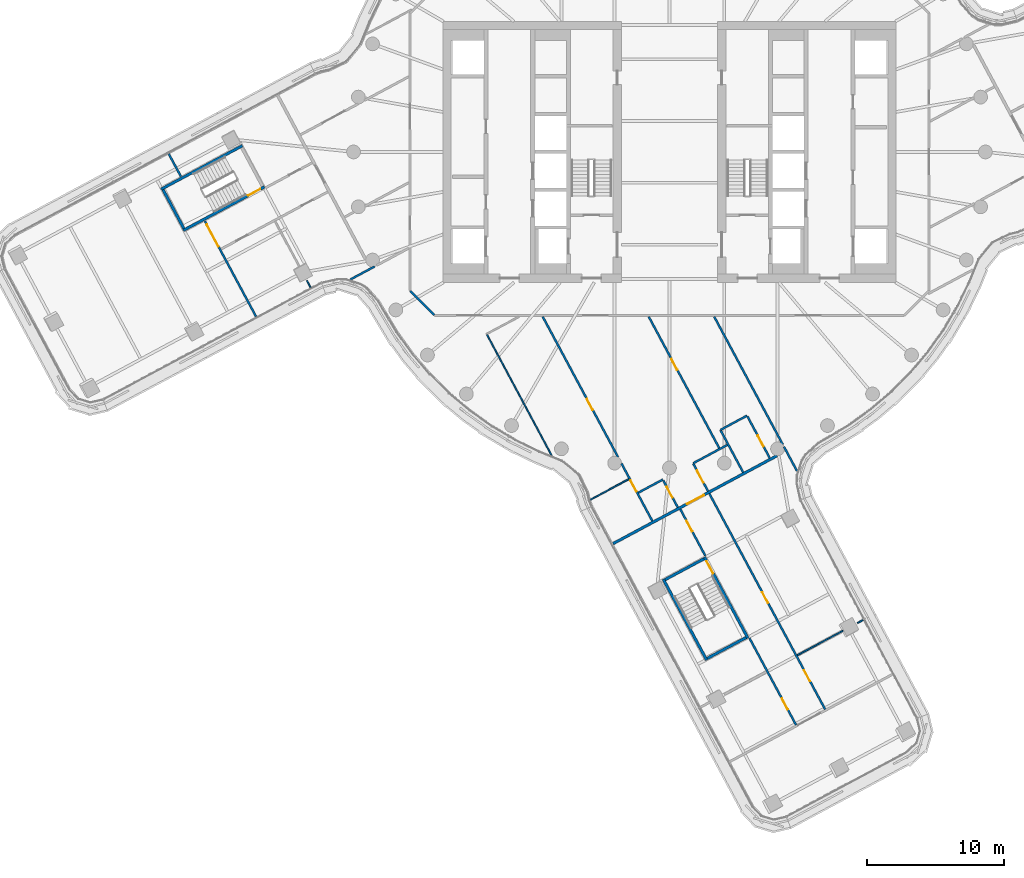
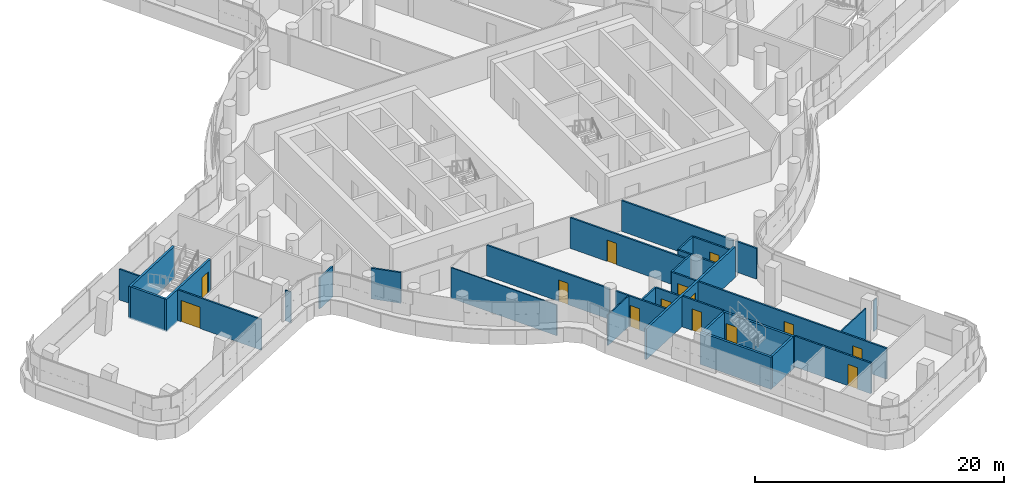
# One storey, part 19 of 33: 31 walls, 14 doors, 14 openings.
"""IFC4 building model written with IfcOpenShell, lengths in metres."""

from ifc_helpers import new_model, si_unit, direction, frame, frame_2d, origin, place, context, subcontext, project, spatial, polyline, rectangle, outline, extrude, material, layer, layer_set, type_object, element, fill, save


model = new_model("IFC4")

# Units and contexts
model_context = context("Model", 3, precision=1e-05, world=origin(), true_north=direction((0.0, 1.0)))
body_context = subcontext(model_context, "Body", "Model", "MODEL_VIEW")
ifc_project = project(units=[si_unit("LENGTHUNIT", "METRE"), si_unit("AREAUNIT", "SQUARE_METRE"), si_unit("VOLUMEUNIT", "CUBIC_METRE"), si_unit("PLANEANGLEUNIT", "RADIAN"), si_unit("MASSUNIT", "GRAM", prefix="KILO")], contexts=[model_context])

# Site, building, storey
site_placement = place(None, origin())
site = spatial("IfcSite", under=ifc_project, at=site_placement, CompositionType="ELEMENT")
building_placement = place(site_placement, origin())
building = spatial("IfcBuilding", under=site, at=building_placement, Name="Tamarind Cross Interchange Tower", CompositionType="ELEMENT")
storey_placement = place(building_placement, frame((0.0, 0.0, 136.75)))
storey = spatial("IfcBuildingStorey", under=building, at=storey_placement, Name="L33", CompositionType="ELEMENT", Elevation=136.75)

# Walls
ifc_material_1 = material(Name="Gypsum board partition on steel studs", Category="steel")
ifc_layer_1 = layer(ifc_material_1, 0.10009765625)
ifc_layer_set_1 = layer_set([ifc_layer_1], Name="Gypsum board partition on steel studs")
wall_type_1 = type_object("IfcWallType", Name="Partition 100 mm EI 90", PredefinedType="PARTITIONING", material=ifc_layer_set_1)
wall_1_placement = place(storey_placement, frame((-26.398193359375, -9.359130859375, 0.0), z_axis=(0.0, 0.0, 1.0), x_axis=(0.472809512755, -0.881164663754, 0.0)))
element("IfcWall", 1, at=wall_1_placement, inside=storey, type_object=wall_type_1, Name="Partition L33-004", PredefinedType="PARTITIONING", context=body_context, shape_type="SweptSolid", body=[
    extrude(rectangle(XDim=0.564453125, YDim=0.10009765625, at=frame_2d((0.2822265625, 0.0))), origin(), (0.0, 0.0, 1.0), 3.010009765625),
])
wall_2_placement = place(storey_placement, frame((-13.29150390625, -13.299072265625, 0.0), z_axis=(0.0, 0.0, 1.0), x_axis=(0.472694845197, -0.881226181706, 0.0)))
element("IfcWall", 2, at=wall_2_placement, inside=storey, type_object=wall_type_1, Name="Partition L33-006", PredefinedType="PARTITIONING", context=body_context, shape_type="SweptSolid", body=[
    extrude(rectangle(XDim=9.972900390625, YDim=0.10009765625, at=frame_2d((4.986328125, 0.0))), origin(), (0.0, 0.0, 1.0), 3.010009765625),
])
wall_3_placement = place(storey_placement, frame((-5.753173828125, -25.313720703125, 0.0), z_axis=(0.0, 0.0, 1.0), x_axis=(0.881075493671, 0.472975659471, 0.0)))
element("IfcWall", 3, at=wall_3_placement, inside=storey, type_object=wall_type_1, Name="Partition L33-055", PredefinedType="PARTITIONING", context=body_context, shape_type="SweptSolid", body=[
    extrude(rectangle(XDim=3.1611328125, YDim=0.10009765625, at=frame_2d((1.58056640625, 0.0))), origin(), (0.0, 0.0, 1.0), 3.010009765625),
])
wall_4_placement = place(storey_placement, frame((9.305419921875, -36.639892578125, 0.0), z_axis=(0.0, 0.0, 1.0), x_axis=(0.881208865176, 0.472727126295, 0.0)))
element("IfcWall", 4, at=wall_4_placement, inside=storey, type_object=wall_type_1, Name="Partition L33-062", PredefinedType="PARTITIONING", context=body_context, shape_type="SweptSolid", body=[
    extrude(rectangle(XDim=3.77734375, YDim=0.10009765625, at=frame_2d((1.888671875, 0.0))), origin(), (0.0, 0.0, 1.0), 3.010009765625),
])
wall_5_placement = place(storey_placement, frame((13.685546875, -34.2900390625, 0.0), z_axis=(0.0, 0.0, 1.0), x_axis=(0.881347115326, 0.472469324197, 0.0)))
element("IfcWall", 5, at=wall_5_placement, inside=storey, type_object=wall_type_1, Name="Partition L33-063", PredefinedType="PARTITIONING", context=body_context, shape_type="SweptSolid", body=[
    extrude(rectangle(XDim=0.464599609375, YDim=0.10009765625, at=frame_2d((0.232421875, 0.0))), origin(), (0.0, 0.0, 1.0), 3.010009765625),
])
ifc_layer_2 = layer(ifc_material_1, 0.14990234375)
ifc_layer_set_2 = layer_set([ifc_layer_2], Name="Gypsum board partition on steel studs")
wall_type_2 = type_object("IfcWallType", Name="Partition 150 mm EI 120", PredefinedType="PARTITIONING", material=ifc_layer_set_2)
wall_6_placement = place(storey_placement, frame((-36.4462890625, -0.147216796875, 0.0), z_axis=(0.0, 0.0, 1.0), x_axis=(0.472767964553, -0.881186956152, 0.0)))
element("IfcWall", 6, at=wall_6_placement, inside=storey, type_object=wall_type_2, Name="Partition L33-001", PredefinedType="PARTITIONING", context=body_context, shape_type="SweptSolid", body=[
    extrude(rectangle(XDim=1.859130859375, YDim=0.14990234375, at=frame_2d((0.9296875, 0.0))), origin(), (0.0, 0.0, 1.0), 3.010009765625),
])

# Wall, opening, door
wall_7_placement = place(storey_placement, frame((-33.827880859375, -5.028076171875, 0.0), z_axis=(0.0, 0.0, 1.0), x_axis=(0.472730911177, -0.881206834754, 0.0)))
wall_7 = element("IfcWall", 7, at=wall_7_placement, inside=storey, type_object=wall_type_2, Name="Partition L33-002", PredefinedType="PARTITIONING", context=body_context, shape_type="SweptSolid", body=[
    extrude(rectangle(XDim=7.884033203125, YDim=0.14990234375, at=frame_2d((3.94189453125, 0.0))), origin(), (0.0, 0.0, 1.0), 3.010009765625),
])
opening_1_placement = place(wall_7_placement, frame((0.300048828125, 0.0, 0.0)))
opening_1 = element("IfcOpeningElement", 8, at=opening_1_placement, cuts=wall_7, Name="Opening D01", PredefinedType="OPENING", context=body_context, shape_type="SweptSolid", body=[
    extrude(rectangle(XDim=1.800048828125, YDim=2.10009765625, at=frame_2d((0.89990234375, 1.050048828125))), frame((0.0, 0.0849609375, 0.0), z_axis=(0.0, -1.0, 0.0), x_axis=(1.0, 0.0, 0.0)), (0.0, 0.0, 1.0), 0.169921875),
])
ifc_material_2 = material(Name="Fire-resisting door set")
door_type_1 = type_object("IfcDoorType", Name="Interior door 1800 x 2100 FD60S", OperationType="DOUBLE_DOOR_SINGLE_SWING", PredefinedType="DOOR", material=ifc_material_2)
door_1_placement = place(opening_1_placement, frame((1.800048828125, 0.0, 0.0), z_axis=(0.0, 0.0, 1.0), x_axis=(-1.0, 0.0, 0.0)))
door_1 = element("IfcDoor", 9, at=door_1_placement, inside=storey, type_object=door_type_1, Name="Door D01", OperationType="DOUBLE_DOOR_SINGLE_SWING", OverallHeight=2.10009765625, OverallWidth=1.800048828125, PredefinedType="DOOR", context=body_context, shape_type="SweptSolid", body=[
    extrude(rectangle(XDim=1.800048828125, YDim=2.10009765625, at=frame_2d((0.89990234375, 1.050048828125))), frame((0.0, 0.02490234375, 0.0), z_axis=(0.0, -1.0, 0.0), x_axis=(1.0, 0.0, 0.0)), (0.0, 0.0, 1.0), 0.050048828125),
])
fill(opening_1, door_1)

wall_8_placement = place(storey_placement, frame((-9.226318359375, -11.992431640625, 0.0), z_axis=(0.0, 0.0, 1.0), x_axis=(0.472684868369, -0.881231533262, 0.0)))
wall_8 = element("IfcWall", 10, at=wall_8_placement, inside=storey, type_object=wall_type_2, Name="Partition L33-008", PredefinedType="PARTITIONING", context=body_context, shape_type="SweptSolid", body=[
    extrude(rectangle(XDim=11.5908203125, YDim=0.14990234375, at=frame_2d((5.79541015625, 0.0))), origin(), (0.0, 0.0, 1.0), 3.010009765625),
])
opening_2_placement = place(wall_8_placement, frame((6.794921875, 0.0, 0.0)))
opening_2 = element("IfcOpeningElement", 11, at=opening_2_placement, cuts=wall_8, Name="Opening D07", PredefinedType="OPENING", context=body_context, shape_type="SweptSolid", body=[
    extrude(rectangle(XDim=0.89990234375, YDim=2.10009765625, at=frame_2d((0.449951171875, 1.050048828125))), frame((0.0, 0.0849609375, 0.0), z_axis=(0.0, -1.0, 0.0), x_axis=(1.0, 0.0, 0.0)), (0.0, 0.0, 1.0), 0.169921875),
])
door_type_2 = type_object("IfcDoorType", Name="Interior door 900 x 2100 FD60S", OperationType="SINGLE_SWING_LEFT", PredefinedType="DOOR", material=ifc_material_2)
door_2_placement = place(opening_2_placement, frame((0.89990234375, 0.0, 0.0), z_axis=(0.0, 0.0, 1.0), x_axis=(-1.0, 0.0, 0.0)))
door_2 = element("IfcDoor", 12, at=door_2_placement, inside=storey, type_object=door_type_2, Name="Door D07", OperationType="SINGLE_SWING_RIGHT", OverallHeight=2.10009765625, OverallWidth=0.89990234375, PredefinedType="DOOR", context=body_context, shape_type="SweptSolid", body=[
    extrude(rectangle(XDim=0.89990234375, YDim=2.10009765625, at=frame_2d((0.449951171875, 1.050048828125))), frame((0.0, 0.02490234375, 0.0), z_axis=(0.0, -1.0, 0.0), x_axis=(1.0, 0.0, 0.0)), (0.0, 0.0, 1.0), 0.050048828125),
])
fill(opening_2, door_2)

wall_9_placement = place(storey_placement, frame((-3.492431640625, -22.682373046875, 0.0), z_axis=(0.0, 0.0, 1.0), x_axis=(0.472689207633, -0.881229205705, 0.0)))
wall_9 = element("IfcWall", 13, at=wall_9_placement, inside=storey, type_object=wall_type_2, Name="Partition L33-009", PredefinedType="PARTITIONING", context=body_context, shape_type="SweptSolid", body=[
    extrude(rectangle(XDim=4.749755859375, YDim=0.14990234375, at=frame_2d((2.375, 0.0))), origin(), (0.0, 0.0, 1.0), 3.010009765625),
])
opening_3_placement = place(wall_9_placement, frame((1.39892578125, 0.0, 0.0)))
opening_3 = element("IfcOpeningElement", 14, at=opening_3_placement, cuts=wall_9, Name="Opening D08", PredefinedType="OPENING", context=body_context, shape_type="SweptSolid", body=[
    extrude(rectangle(XDim=0.89990234375, YDim=2.10009765625, at=frame_2d((0.449951171875, 1.050048828125))), frame((0.0, 0.0849609375, 0.0), z_axis=(0.0, -1.0, 0.0), x_axis=(1.0, 0.0, 0.0)), (0.0, 0.0, 1.0), 0.169921875),
])
door_3_placement = place(opening_3_placement, frame((0.89990234375, 0.0, 0.0), z_axis=(0.0, 0.0, 1.0), x_axis=(-1.0, 0.0, 0.0)))
door_3 = element("IfcDoor", 15, at=door_3_placement, inside=storey, type_object=door_type_2, Name="Door D08", OperationType="SINGLE_SWING_LEFT", OverallHeight=2.10009765625, OverallWidth=0.89990234375, PredefinedType="DOOR", context=body_context, shape_type="SweptSolid", body=[
    extrude(rectangle(XDim=0.89990234375, YDim=2.10009765625, at=frame_2d((0.449951171875, 1.050048828125))), frame((0.0, 0.02490234375, 0.0), z_axis=(0.0, -1.0, 0.0), x_axis=(1.0, 0.0, 0.0)), (0.0, 0.0, 1.0), 0.050048828125),
])
fill(opening_3, door_3)

wall_10_placement = place(storey_placement, frame((-1.509521484375, -11.992431640625, 0.0), z_axis=(0.0, 0.0, 1.0), x_axis=(0.472657089114, -0.881246433247, 0.0)))
wall_10 = element("IfcWall", 16, at=wall_10_placement, inside=storey, type_object=wall_type_2, Name="Partition L33-016", PredefinedType="PARTITIONING", context=body_context, shape_type="SweptSolid", body=[
    extrude(rectangle(XDim=10.852783203125, YDim=0.14990234375, at=frame_2d((5.42626953125, 0.0))), origin(), (0.0, 0.0, 1.0), 3.010009765625),
])
opening_4_placement = place(wall_10_placement, frame((3.4951171875, 0.0, 0.0)))
opening_4 = element("IfcOpeningElement", 17, at=opening_4_placement, cuts=wall_10, Name="Opening D12", PredefinedType="OPENING", context=body_context, shape_type="SweptSolid", body=[
    extrude(rectangle(XDim=0.89990234375, YDim=2.10009765625, at=frame_2d((0.449951171875, 1.050048828125))), frame((0.0, 0.0849609375, 0.0), z_axis=(0.0, -1.0, 0.0), x_axis=(1.0, 0.0, 0.0)), (0.0, 0.0, 1.0), 0.169921875),
])
door_4_placement = place(opening_4_placement, origin())
door_4 = element("IfcDoor", 18, at=door_4_placement, inside=storey, type_object=door_type_2, Name="Door D12", OperationType="SINGLE_SWING_RIGHT", OverallHeight=2.10009765625, OverallWidth=0.89990234375, PredefinedType="DOOR", context=body_context, shape_type="SweptSolid", body=[
    extrude(rectangle(XDim=0.89990234375, YDim=2.10009765625, at=frame_2d((0.449951171875, 1.050048828125))), frame((0.0, 0.02490234375, 0.0), z_axis=(0.0, -1.0, 0.0), x_axis=(1.0, 0.0, 0.0)), (0.0, 0.0, 1.0), 0.050048828125),
])
fill(opening_4, door_4)

wall_11_placement = place(storey_placement, frame((-0.448486328125, -23.9140625, 0.0), z_axis=(0.0, 0.0, 1.0), x_axis=(0.472830170136, -0.881153579241, 0.0)))
wall_11 = element("IfcWall", 19, at=wall_11_placement, inside=storey, type_object=wall_type_2, Name="Partition L33-017", PredefinedType="PARTITIONING", context=body_context, shape_type="SweptSolid", body=[
    extrude(rectangle(XDim=2.225341796875, YDim=0.14990234375, at=frame_2d((1.11279296875, 0.0))), origin(), (0.0, 0.0, 1.0), 3.010009765625),
])
opening_5_placement = place(wall_11_placement, frame((0.52490234375, 0.0, 0.0)))
opening_5 = element("IfcOpeningElement", 20, at=opening_5_placement, cuts=wall_11, Name="Opening D13", PredefinedType="OPENING", context=body_context, shape_type="SweptSolid", body=[
    extrude(rectangle(XDim=0.89990234375, YDim=2.10009765625, at=frame_2d((0.449951171875, 1.050048828125))), frame((0.0, 0.0849609375, 0.0), z_axis=(0.0, -1.0, 0.0), x_axis=(1.0, 0.0, 0.0)), (0.0, 0.0, 1.0), 0.169921875),
])
door_5_placement = place(opening_5_placement, frame((0.89990234375, 0.0, 0.0), z_axis=(0.0, 0.0, 1.0), x_axis=(-1.0, 0.0, 0.0)))
door_5 = element("IfcDoor", 21, at=door_5_placement, inside=storey, type_object=door_type_2, Name="Door D13", OperationType="SINGLE_SWING_LEFT", OverallHeight=2.10009765625, OverallWidth=0.89990234375, PredefinedType="DOOR", context=body_context, shape_type="SweptSolid", body=[
    extrude(rectangle(XDim=0.89990234375, YDim=2.10009765625, at=frame_2d((0.449951171875, 1.050048828125))), frame((0.0, 0.02490234375, 0.0), z_axis=(0.0, -1.0, 0.0), x_axis=(1.0, 0.0, 0.0)), (0.0, 0.0, 1.0), 0.050048828125),
])
fill(opening_5, door_5)

wall_12_placement = place(storey_placement, frame((0.786376953125, -26.004150390625, 0.0), z_axis=(0.0, 0.0, 1.0), x_axis=(0.472779380867, -0.88118083106, 0.0)))
wall_12 = element("IfcWall", 22, at=wall_12_placement, inside=storey, type_object=wall_type_2, Name="Partition L33-018", PredefinedType="PARTITIONING", context=body_context, shape_type="SweptSolid", body=[
    extrude(rectangle(XDim=3.860595703125, YDim=0.14990234375, at=frame_2d((1.93017578125, 0.0))), origin(), (0.0, 0.0, 1.0), 3.010009765625),
])
opening_6_placement = place(wall_12_placement, frame((0.949951171875, 0.0, 0.0)))
opening_6 = element("IfcOpeningElement", 23, at=opening_6_placement, cuts=wall_12, Name="Opening D14", PredefinedType="OPENING", context=body_context, shape_type="SweptSolid", body=[
    extrude(rectangle(XDim=0.89990234375, YDim=2.10009765625, at=frame_2d((0.449951171875, 1.050048828125))), frame((0.0, 0.0849609375, 0.0), z_axis=(0.0, -1.0, 0.0), x_axis=(1.0, 0.0, 0.0)), (0.0, 0.0, 1.0), 0.169921875),
])
door_6_placement = place(opening_6_placement, frame((0.89990234375, 0.0, 0.0), z_axis=(0.0, 0.0, 1.0), x_axis=(-1.0, 0.0, 0.0)))
door_6 = element("IfcDoor", 24, at=door_6_placement, inside=storey, type_object=door_type_2, Name="Door D14", OperationType="SINGLE_SWING_LEFT", OverallHeight=2.10009765625, OverallWidth=0.89990234375, PredefinedType="DOOR", context=body_context, shape_type="SweptSolid", body=[
    extrude(rectangle(XDim=0.89990234375, YDim=2.10009765625, at=frame_2d((0.449951171875, 1.050048828125))), frame((0.0, 0.02490234375, 0.0), z_axis=(0.0, -1.0, 0.0), x_axis=(1.0, 0.0, 0.0)), (0.0, 0.0, 1.0), 0.050048828125),
])
fill(opening_6, door_6)

wall_13_placement = place(storey_placement, frame((5.81640625, -35.379638671875, 0.0), z_axis=(0.0, 0.0, 1.0), x_axis=(0.472784243367, -0.881178222168, 0.0)))
wall_13 = element("IfcWall", 25, at=wall_13_placement, inside=storey, type_object=wall_type_2, Name="Partition L33-019", PredefinedType="PARTITIONING", context=body_context, shape_type="SweptSolid", body=[
    extrude(rectangle(XDim=7.18505859375, YDim=0.14990234375, at=frame_2d((3.592529296875, 0.0))), origin(), (0.0, 0.0, 1.0), 3.010009765625),
])
opening_7_placement = place(wall_13_placement, frame((5.009765625, 0.0, 0.0)))
opening_7 = element("IfcOpeningElement", 26, at=opening_7_placement, cuts=wall_13, Name="Opening D15", PredefinedType="OPENING", context=body_context, shape_type="SweptSolid", body=[
    extrude(rectangle(XDim=0.89990234375, YDim=2.10009765625, at=frame_2d((0.449951171875, 1.050048828125))), frame((0.0, 0.0849609375, 0.0), z_axis=(0.0, -1.0, 0.0), x_axis=(1.0, 0.0, 0.0)), (0.0, 0.0, 1.0), 0.169921875),
])
door_7_placement = place(opening_7_placement, frame((0.89990234375, 0.0, 0.0), z_axis=(0.0, 0.0, 1.0), x_axis=(-1.0, 0.0, 0.0)))
door_7 = element("IfcDoor", 27, at=door_7_placement, inside=storey, type_object=door_type_2, Name="Door D15", OperationType="SINGLE_SWING_RIGHT", OverallHeight=2.10009765625, OverallWidth=0.89990234375, PredefinedType="DOOR", context=body_context, shape_type="SweptSolid", body=[
    extrude(rectangle(XDim=0.89990234375, YDim=2.10009765625, at=frame_2d((0.449951171875, 1.050048828125))), frame((0.0, 0.02490234375, 0.0), z_axis=(0.0, -1.0, 0.0), x_axis=(1.0, 0.0, 0.0)), (0.0, 0.0, 1.0), 0.050048828125),
])
fill(opening_7, door_7)

# Wall, openings, doors
wall_14_placement = place(storey_placement, frame((1.728515625, -22.68359375, 0.0), z_axis=(0.0, 0.0, 1.0), x_axis=(0.47285390864, -0.881140840663, 0.0)))
wall_14 = element("IfcWall", 28, at=wall_14_placement, inside=storey, type_object=wall_type_2, Name="Partition L33-022", PredefinedType="PARTITIONING", context=body_context, shape_type="SweptSolid", body=[
    extrude(rectangle(XDim=20.304931640625, YDim=0.14990234375, at=frame_2d((10.15234375, 0.0))), origin(), (0.0, 0.0, 1.0), 3.010009765625),
])
opening_8_placement = place(wall_14_placement, frame((0.580078125, 0.0, 0.0)))
opening_8 = element("IfcOpeningElement", 29, at=opening_8_placement, cuts=wall_14, Name="Opening D17", PredefinedType="OPENING", context=body_context, shape_type="SweptSolid", body=[
    extrude(rectangle(XDim=1.0, YDim=2.10009765625, at=frame_2d((0.5, 1.050048828125))), frame((0.0, 0.0849609375, 0.0), z_axis=(0.0, -1.0, 0.0), x_axis=(1.0, 0.0, 0.0)), (0.0, 0.0, 1.0), 0.169921875),
])
opening_9_placement = place(wall_14_placement, frame((10.63037109375, 0.0, 0.0)))
opening_9 = element("IfcOpeningElement", 30, at=opening_9_placement, cuts=wall_14, Name="Opening D18", PredefinedType="OPENING", context=body_context, shape_type="SweptSolid", body=[
    extrude(rectangle(XDim=0.89990234375, YDim=2.10009765625, at=frame_2d((0.449951171875, 1.050048828125))), frame((0.0, 0.0849609375, 0.0), z_axis=(0.0, -1.0, 0.0), x_axis=(1.0, 0.0, 0.0)), (0.0, 0.0, 1.0), 0.169921875),
])
opening_10_placement = place(wall_14_placement, frame((17.08056640625, 0.0, 0.0)))
opening_10 = element("IfcOpeningElement", 31, at=opening_10_placement, cuts=wall_14, Name="Opening D19", PredefinedType="OPENING", context=body_context, shape_type="SweptSolid", body=[
    extrude(rectangle(XDim=0.89990234375, YDim=2.10009765625, at=frame_2d((0.449951171875, 1.050048828125))), frame((0.0, 0.0849609375, 0.0), z_axis=(0.0, -1.0, 0.0), x_axis=(1.0, 0.0, 0.0)), (0.0, 0.0, 1.0), 0.169921875),
])
door_type_3 = type_object("IfcDoorType", Name="Interior door 1000 x 2100 FD60S", OperationType="SINGLE_SWING_LEFT", PredefinedType="DOOR", material=ifc_material_2)
door_8_placement = place(opening_8_placement, origin())
door_8 = element("IfcDoor", 32, at=door_8_placement, inside=storey, type_object=door_type_3, Name="Door D17", OperationType="SINGLE_SWING_RIGHT", OverallHeight=2.10009765625, OverallWidth=1.0, PredefinedType="DOOR", context=body_context, shape_type="SweptSolid", body=[
    extrude(rectangle(XDim=1.0, YDim=2.10009765625, at=frame_2d((0.5, 1.050048828125))), frame((0.0, 0.02490234375, 0.0), z_axis=(0.0, -1.0, 0.0), x_axis=(1.0, 0.0, 0.0)), (0.0, 0.0, 1.0), 0.050048828125),
])
fill(opening_8, door_8)
door_9_placement = place(opening_9_placement, origin())
door_9 = element("IfcDoor", 33, at=door_9_placement, inside=storey, type_object=door_type_2, Name="Door D18", OperationType="SINGLE_SWING_LEFT", OverallHeight=2.10009765625, OverallWidth=0.89990234375, PredefinedType="DOOR", context=body_context, shape_type="SweptSolid", body=[
    extrude(rectangle(XDim=0.89990234375, YDim=2.10009765625, at=frame_2d((0.449951171875, 1.050048828125))), frame((0.0, 0.02490234375, 0.0), z_axis=(0.0, -1.0, 0.0), x_axis=(1.0, 0.0, 0.0)), (0.0, 0.0, 1.0), 0.050048828125),
])
fill(opening_9, door_9)
door_10_placement = place(opening_10_placement, origin())
door_10 = element("IfcDoor", 34, at=door_10_placement, inside=storey, type_object=door_type_2, Name="Door D19", OperationType="SINGLE_SWING_LEFT", OverallHeight=2.10009765625, OverallWidth=0.89990234375, PredefinedType="DOOR", context=body_context, shape_type="SweptSolid", body=[
    extrude(rectangle(XDim=0.89990234375, YDim=2.10009765625, at=frame_2d((0.449951171875, 1.050048828125))), frame((0.0, 0.02490234375, 0.0), z_axis=(0.0, -1.0, 0.0), x_axis=(1.0, 0.0, 0.0)), (0.0, 0.0, 1.0), 0.050048828125),
])
fill(opening_10, door_10)

# Walls
wall_15_placement = place(storey_placement, frame((3.256591796875, -11.992431640625, 0.0), z_axis=(0.0, 0.0, 1.0), x_axis=(0.47270123822, -0.881222752421, 0.0)))
element("IfcWall", 35, at=wall_15_placement, inside=storey, type_object=wall_type_2, Name="Partition L33-023", PredefinedType="PARTITIONING", context=body_context, shape_type="SweptSolid", body=[
    extrude(rectangle(XDim=10.56005859375, YDim=0.14990234375, at=frame_2d((5.280029296875, 0.0))), origin(), (0.0, 0.0, 1.0), 3.010009765625),
])
wall_16_placement = place(storey_placement, frame((8.335693359375, -21.4609375, 0.0), z_axis=(0.0, 0.0, 1.0), x_axis=(0.472700307112, -0.881223251881, 0.0)))
element("IfcWall", 36, at=wall_16_placement, inside=storey, type_object=wall_type_2, Name="Partition L33-024", PredefinedType="PARTITIONING", context=body_context, shape_type="SweptSolid", body=[
    extrude(rectangle(XDim=2.008544921875, YDim=0.14990234375, at=frame_2d((1.00439453125, 0.0))), origin(), (0.0, 0.0, 1.0), 3.010009765625),
])
wall_17_placement = place(storey_placement, frame((3.71728515625, -20.255615234375, 0.0), z_axis=(0.0, 0.0, 1.0), x_axis=(0.472400501261, -0.881384006213, 0.0)))
element("IfcWall", 37, at=wall_17_placement, inside=storey, type_object=wall_type_2, Name="Partition L33-025", PredefinedType="PARTITIONING", context=body_context, shape_type="SweptSolid", body=[
    extrude(rectangle(XDim=3.480224609375, YDim=0.14990234375, at=frame_2d((1.740234375, 0.0))), origin(), (0.0, 0.0, 1.0), 3.010009765625),
])

# Wall, opening, door
wall_18_placement = place(storey_placement, frame((5.681396484375, -19.26416015625, 0.0), z_axis=(0.0, 0.0, 1.0), x_axis=(0.472694703545, -0.881226257689, 0.0)))
wall_18 = element("IfcWall", 38, at=wall_18_placement, inside=storey, type_object=wall_type_2, Name="Partition L33-026", PredefinedType="PARTITIONING", context=body_context, shape_type="SweptSolid", body=[
    extrude(rectangle(XDim=3.420654296875, YDim=0.14990234375, at=frame_2d((1.71044921875, 0.0))), origin(), (0.0, 0.0, 1.0), 3.010009765625),
])
opening_11_placement = place(wall_18_placement, frame((1.574951171875, 0.0, 0.0)))
opening_11 = element("IfcOpeningElement", 39, at=opening_11_placement, cuts=wall_18, Name="Opening D20", PredefinedType="OPENING", context=body_context, shape_type="SweptSolid", body=[
    extrude(rectangle(XDim=0.89990234375, YDim=2.10009765625, at=frame_2d((0.449951171875, 1.050048828125))), frame((0.0, 0.0849609375, 0.0), z_axis=(0.0, -1.0, 0.0), x_axis=(1.0, 0.0, 0.0)), (0.0, 0.0, 1.0), 0.169921875),
])
door_11_placement = place(opening_11_placement, frame((0.89990234375, 0.0, 0.0), z_axis=(0.0, 0.0, 1.0), x_axis=(-1.0, 0.0, 0.0)))
door_11 = element("IfcDoor", 40, at=door_11_placement, inside=storey, type_object=door_type_2, Name="Door D20", OperationType="SINGLE_SWING_RIGHT", OverallHeight=2.10009765625, OverallWidth=0.89990234375, PredefinedType="DOOR", context=body_context, shape_type="SweptSolid", body=[
    extrude(rectangle(XDim=0.89990234375, YDim=2.10009765625, at=frame_2d((0.449951171875, 1.050048828125))), frame((0.0, 0.02490234375, 0.0), z_axis=(0.0, -1.0, 0.0), x_axis=(1.0, 0.0, 0.0)), (0.0, 0.0, 1.0), 0.050048828125),
])
fill(opening_11, door_11)

# Walls
wall_19_placement = place(storey_placement, frame((-18.87158203125, -10.12841796875, 0.0), z_axis=(0.0, 0.0, 1.0), x_axis=(0.707106781187, -0.707106781187, 0.0)))
element("IfcWall", 41, at=wall_19_placement, inside=storey, type_object=wall_type_2, Name="Partition L33-031", PredefinedType="PARTITIONING", context=body_context, shape_type="SweptSolid", body=[
    extrude(rectangle(XDim=2.465087890625, YDim=0.14990234375, at=frame_2d((1.232421875, 0.0))), origin(), (0.0, 0.0, 1.0), 3.010009765625),
])
wall_20_placement = place(storey_placement, frame((-23.231689453125, -9.284912109375, 0.0), z_axis=(0.0, 0.0, 1.0), x_axis=(0.881204789324, 0.472734723997, 0.0)))
element("IfcWall", 42, at=wall_20_placement, inside=storey, type_object=wall_type_2, Name="Partition L33-041", PredefinedType="PARTITIONING", context=body_context, shape_type="SweptSolid", body=[
    extrude(rectangle(XDim=2.005859375, YDim=0.14990234375, at=frame_2d((1.0029296875, 0.0))), origin(), (0.0, 0.0, 1.0), 3.010009765625),
])
wall_21_placement = place(storey_placement, frame((3.70654296875, -20.2353515625, 0.0), z_axis=(0.0, 0.0, 1.0), x_axis=(0.881086943658, 0.472954329419, 0.0)))
element("IfcWall", 43, at=wall_21_placement, inside=storey, type_object=wall_type_2, Name="Partition L33-056", PredefinedType="PARTITIONING", context=body_context, shape_type="SweptSolid", body=[
    extrude(rectangle(XDim=2.199462890625, YDim=0.14990234375, at=frame_2d((1.099609375, 0.0))), origin(), (0.0, 0.0, 1.0), 3.010009765625),
])
wall_22_placement = place(storey_placement, frame((-2.267822265625, -24.805419921875, 0.0), z_axis=(0.0, 0.0, 1.0), x_axis=(0.881101445607, 0.472927312121, 0.0)))
element("IfcWall", 44, at=wall_22_placement, inside=storey, type_object=wall_type_2, Name="Partition L33-058", PredefinedType="PARTITIONING", context=body_context, shape_type="SweptSolid", body=[
    extrude(rectangle(XDim=2.024658203125, YDim=0.14990234375, at=frame_2d((1.01220703125, 0.0))), origin(), (0.0, 0.0, 1.0), 3.010009765625),
])
wall_23_placement = place(storey_placement, frame((1.71875, -22.66552734375, 0.0), z_axis=(0.0, 0.0, 1.0), x_axis=(0.881125139321, 0.47288316618, 0.0)))
element("IfcWall", 45, at=wall_23_placement, inside=storey, type_object=wall_type_2, Name="Partition L33-059", PredefinedType="PARTITIONING", context=body_context, shape_type="SweptSolid", body=[
    extrude(rectangle(XDim=2.8251953125, YDim=0.14990234375, at=frame_2d((1.41259765625, 0.0))), origin(), (0.0, 0.0, 1.0), 3.010009765625),
])

# Wall, opening, door
ifc_layer_3 = layer(ifc_material_1, 0.199951171875)
ifc_layer_set_3 = layer_set([ifc_layer_3], Name="Gypsum board partition on steel studs")
wall_type_3 = type_object("IfcWallType", Name="Partition 200 mm EI 180", PredefinedType="PARTITIONING", material=ifc_layer_set_3)
wall_24_placement = place(storey_placement, frame((-4.10693359375, -28.515380859375, 0.0), z_axis=(0.0, 0.0, 1.0), x_axis=(0.881221254129, 0.472704031368, 0.0)))
wall_24 = element("IfcWall", 46, at=wall_24_placement, inside=storey, type_object=wall_type_3, Name="Partition L33-057", PredefinedType="PARTITIONING", context=body_context, shape_type="SweptSolid", body=[
    extrude(rectangle(XDim=13.544677734375, YDim=0.199951171875, at=frame_2d((6.7724609375, 0.0))), origin(), (0.0, 0.0, 1.0), 3.010009765625),
])
opening_12_placement = place(wall_24_placement, frame((6.09912109375, 0.0, 0.0)))
opening_12 = element("IfcOpeningElement", 47, at=opening_12_placement, cuts=wall_24, Name="Opening D36", PredefinedType="OPENING", context=body_context, shape_type="SweptSolid", body=[
    extrude(rectangle(XDim=1.39990234375, YDim=2.10009765625, at=frame_2d((0.699951171875, 1.050048828125))), frame((0.0, 0.10986328125, 0.0), z_axis=(0.0, -1.0, 0.0), x_axis=(1.0, 0.0, 0.0)), (0.0, 0.0, 1.0), 0.219970703125),
])
door_type_4 = type_object("IfcDoorType", Name="Interior door 1400 x 2100 FD120S", OperationType="DOUBLE_DOOR_SINGLE_SWING", PredefinedType="DOOR", material=ifc_material_2)
door_12_placement = place(opening_12_placement, origin())
door_12 = element("IfcDoor", 48, at=door_12_placement, inside=storey, type_object=door_type_4, Name="Door D36", OperationType="DOUBLE_DOOR_SINGLE_SWING", OverallHeight=2.10009765625, OverallWidth=1.39990234375, PredefinedType="DOOR", context=body_context, shape_type="SweptSolid", body=[
    extrude(rectangle(XDim=1.39990234375, YDim=2.10009765625, at=frame_2d((0.699951171875, 1.050048828125))), frame((0.0, 0.02490234375, 0.0), z_axis=(0.0, -1.0, 0.0), x_axis=(1.0, 0.0, 0.0)), (0.0, 0.0, 1.0), 0.050048828125),
])
fill(opening_12, door_12)

ifc_material_3 = material(Name="Concrete C40", Category="concrete")
ifc_layer_4 = layer(ifc_material_3, 0.199951171875)
ifc_layer_set_4 = layer_set([ifc_layer_4], Name="Concrete C40")
wall_type_4 = type_object("IfcWallType", Name="Stair shaft wall 200 mm Concrete C40", PredefinedType="SHEAR", material=ifc_layer_set_4)
wall_25_placement = place(storey_placement, frame((-29.488037109375, -2.54150390625, -0.139892578125), z_axis=(0.0, 0.0, 1.0), x_axis=(-0.881232832072, -0.472682446975, 0.0)))
wall_25 = element("IfcWall", 49, at=wall_25_placement, inside=storey, type_object=wall_type_4, Name="Core wall CWL-L33-ST5-H", PredefinedType="SHEAR", context=body_context, shape_type="SweptSolid", body=[
    extrude(rectangle(XDim=6.699951171875, YDim=0.199951171875, at=frame_2d((3.35009765625, 0.0))), origin(), (0.0, 0.0, 1.0), 3.14990234375),
])
opening_13_placement = place(wall_25_placement, frame((0.35009765625, 0.0, 0.0)))
opening_13 = element("IfcOpeningElement", 50, at=opening_13_placement, cuts=wall_25, Name="Opening ST5L33", PredefinedType="OPENING", context=body_context, shape_type="SweptSolid", body=[
    extrude(rectangle(XDim=1.0, YDim=2.10009765625, at=frame_2d((0.5, 1.050048828125))), frame((0.0, 0.10986328125, 0.0), z_axis=(0.0, -1.0, 0.0), x_axis=(1.0, 0.0, 0.0)), (0.0, 0.0, 1.0), 0.219970703125),
])
ifc_material_4 = material(Name="Steel, fire-resisting", Category="steel")
door_type_5 = type_object("IfcDoorType", Name="Core fire door 1000 x 2100 FD90", OperationType="SINGLE_SWING_LEFT", PredefinedType="DOOR", material=ifc_material_4)
door_13_placement = place(opening_13_placement, origin())
door_13 = element("IfcDoor", 51, at=door_13_placement, inside=storey, type_object=door_type_5, Name="L33 stair door ST5", OperationType="SINGLE_SWING_LEFT", OverallHeight=2.10009765625, OverallWidth=1.0, PredefinedType="DOOR", context=body_context, shape_type="SweptSolid", body=[
    extrude(rectangle(XDim=1.0, YDim=2.10009765625, at=frame_2d((0.5, 1.050048828125))), frame((0.0, 0.02490234375, 0.0), z_axis=(0.0, -1.0, 0.0), x_axis=(1.0, 0.0, 0.0)), (0.0, 0.0, 1.0), 0.050048828125),
])
fill(opening_13, door_13)

# Walls
wall_26_placement = place(storey_placement, frame((-31.09521484375, 0.45458984375, -0.139892578125), z_axis=(0.0, 0.0, 1.0), x_axis=(-0.881232832072, -0.472682446975, 0.0)))
element("IfcWall", 52, at=wall_26_placement, inside=storey, type_object=wall_type_4, Name="Core wall CWL-L33-ST5-C", PredefinedType="SHEAR", context=body_context, shape_type="SweptSolid", body=[
    extrude(rectangle(XDim=6.699951171875, YDim=0.199951171875, at=frame_2d((3.35009765625, 0.0))), origin(), (0.0, 0.0, 1.0), 3.14990234375),
])
wall_27_placement = place(storey_placement, frame((0.0, 0.0, -0.139892578125)))
element("IfcWall", 53, at=wall_27_placement, inside=storey, type_object=wall_type_4, Name="Core wall CWL-L33-ST5-CF", PredefinedType="SHEAR", context=body_context, shape_type="SweptSolid", body=[
    extrude(outline(polyline([(-36.77587890625, -2.7060546875), (-36.9521484375, -2.800537109375), (-35.439453125, -5.620361328125), (-35.26318359375, -5.52587890625), (-36.77587890625, -2.7060546875)])), origin(), (0.0, 0.0, 1.0), 3.14990234375),
])

# Wall, opening, door
wall_28_placement = place(storey_placement, frame((2.54150390625, -29.488037109375, -0.139892578125), z_axis=(0.0, 0.0, 1.0), x_axis=(0.472682446975, -0.881232832072, 0.0)))
wall_28 = element("IfcWall", 54, at=wall_28_placement, inside=storey, type_object=wall_type_4, Name="Core wall CWL-L33-ST6-H", PredefinedType="SHEAR", context=body_context, shape_type="SweptSolid", body=[
    extrude(rectangle(XDim=6.699951171875, YDim=0.199951171875, at=frame_2d((3.35009765625, 0.0))), origin(), (0.0, 0.0, 1.0), 3.14990234375),
])
opening_14_placement = place(wall_28_placement, frame((0.35009765625, 0.0, 0.0)))
opening_14 = element("IfcOpeningElement", 55, at=opening_14_placement, cuts=wall_28, Name="Opening ST6L33", PredefinedType="OPENING", context=body_context, shape_type="SweptSolid", body=[
    extrude(rectangle(XDim=1.0, YDim=2.10009765625, at=frame_2d((0.5, 1.050048828125))), frame((0.0, 0.10986328125, 0.0), z_axis=(0.0, -1.0, 0.0), x_axis=(1.0, 0.0, 0.0)), (0.0, 0.0, 1.0), 0.219970703125),
])
door_14_placement = place(opening_14_placement, origin())
door_14 = element("IfcDoor", 56, at=door_14_placement, inside=storey, type_object=door_type_5, Name="L33 stair door ST6", OperationType="SINGLE_SWING_LEFT", OverallHeight=2.10009765625, OverallWidth=1.0, PredefinedType="DOOR", context=body_context, shape_type="SweptSolid", body=[
    extrude(rectangle(XDim=1.0, YDim=2.10009765625, at=frame_2d((0.5, 1.050048828125))), frame((0.0, 0.02490234375, 0.0), z_axis=(0.0, -1.0, 0.0), x_axis=(1.0, 0.0, 0.0)), (0.0, 0.0, 1.0), 0.050048828125),
])
fill(opening_14, door_14)

# Walls
wall_29_placement = place(storey_placement, frame((-0.45458984375, -31.09521484375, -0.139892578125), z_axis=(0.0, 0.0, 1.0), x_axis=(0.472682446975, -0.881232832072, 0.0)))
element("IfcWall", 57, at=wall_29_placement, inside=storey, type_object=wall_type_4, Name="Core wall CWL-L33-ST6-C", PredefinedType="SHEAR", context=body_context, shape_type="SweptSolid", body=[
    extrude(rectangle(XDim=6.699951171875, YDim=0.199951171875, at=frame_2d((3.35009765625, 0.0))), origin(), (0.0, 0.0, 1.0), 3.14990234375),
])
wall_30_placement = place(storey_placement, frame((-0.3193359375, -31.135986328125, -0.139892578125), z_axis=(0.0, 0.0, 1.0), x_axis=(0.88120988154, 0.47272523169, 0.0)))
element("IfcWall", 58, at=wall_30_placement, inside=storey, type_object=wall_type_4, Name="Core wall CWL-L33-ST6-CE", PredefinedType="SHEAR", context=body_context, shape_type="SweptSolid", body=[
    extrude(rectangle(XDim=3.199951171875, YDim=0.199951171875, at=frame_2d((1.60009765625, 0.0))), origin(), (0.0, 0.0, 1.0), 3.14990234375),
])
wall_31_placement = place(storey_placement, frame((0.0, 0.0, -0.139892578125)))
element("IfcWall", 59, at=wall_31_placement, inside=storey, type_object=wall_type_4, Name="Core wall CWL-L33-ST6-CF", PredefinedType="SHEAR", context=body_context, shape_type="SweptSolid", body=[
    extrude(outline(polyline([(2.7060546875, -36.77587890625), (2.800537109375, -36.9521484375), (5.620361328125, -35.439453125), (5.52587890625, -35.26318359375), (2.7060546875, -36.77587890625)])), origin(), (0.0, 0.0, 1.0), 3.14990234375),
])

save(model, "model.ifc")
